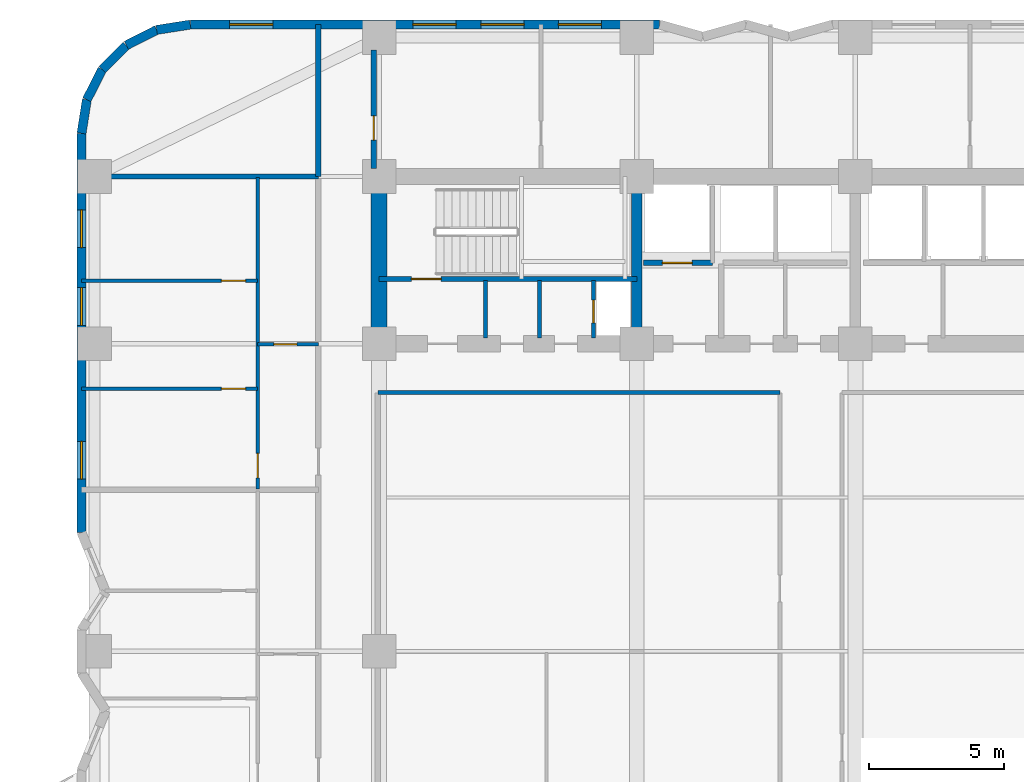
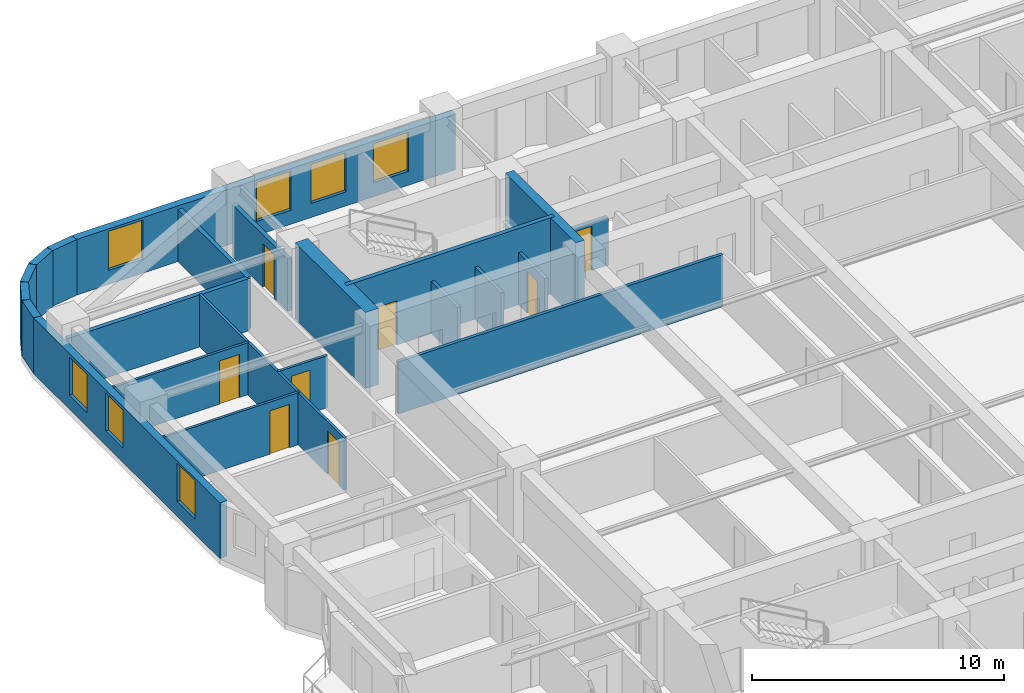
# One storey, part 6 of 11: 22 walls, 8 doors, 7 windows, 15 openings.
"""IFC4 building model written with IfcOpenShell, lengths in metres."""

import ifcopenshell
import ifcopenshell.guid

model = None  # the IFC model being written
_history = None  # IfcOwnerHistory: only IFC2X3 demands one
_inside = {}  # id of a spatial element -> (the spatial element, [elements in it])
_under = {}  # id of a project, library or spatial element -> (it, [spatial elements below it])
_declared = {}  # id of a project -> (the project, [libraries it declares])
_typed = {}  # id of a type object -> (the type object, [elements of that type])
_made_of = {}  # id of a material, layer set ... -> (it, [elements and type objects made of it])


def new_model(schema):
    """Start an empty IFC model of exactly this schema.

    Asked for "IFC4X3", IfcOpenShell would pick the latest addendum, in which some entities
    have other attributes; the version numbers below select the first issue.
    IFC2X3 requires an IfcOwnerHistory on every rooted entity: one is made here for all.
    """
    global model, _history
    if schema == "IFC4X3":
        model = ifcopenshell.file(schema_version=(4, 3, 0, 0))
    else:
        model = ifcopenshell.file(schema=schema)
    _inside.clear()
    _under.clear()
    _declared.clear()
    _typed.clear()
    _made_of.clear()
    _history = None
    if model.schema == "IFC2X3":
        org = make("IfcOrganization", Name="unknown")
        user = make(
            "IfcPersonAndOrganization",
            ThePerson=make("IfcPerson", FamilyName="unknown"),
            TheOrganization=org,
        )
        app = make(
            "IfcApplication",
            ApplicationDeveloper=org,
            Version="unknown",
            ApplicationFullName="unknown",
            ApplicationIdentifier="unknown",
        )
        _history = make(
            "IfcOwnerHistory",
            OwningUser=user,
            OwningApplication=app,
            ChangeAction="ADDED",
            CreationDate=0,
        )
    return model


def make(cls, **values):
    """One entity of the class cls with the attributes given. An attribute that is None is left unset."""
    return model.create_entity(
        cls, **{name: value for name, value in values.items() if value is not None}
    )


def rooted(cls, **values):
    """An entity with a GlobalId (a new one), such as an element, a storey or a relation."""
    return make(cls, GlobalId=ifcopenshell.guid.new(), OwnerHistory=_history, **values)


def si_unit(unit_type, name, prefix=None):
    """IfcSIUnit, for example si_unit("LENGTHUNIT", "METRE", prefix="MILLI")."""
    return make("IfcSIUnit", UnitType=unit_type, Prefix=prefix, Name=name)


def assignment(units):
    """IfcUnitAssignment: the units of a project."""
    return None if units is None else make("IfcUnitAssignment", Units=units)


def point(xyz):
    """IfcCartesianPoint."""
    return None if xyz is None else make("IfcCartesianPoint", Coordinates=xyz)


def direction(xyz):
    """IfcDirection."""
    return None if xyz is None else make("IfcDirection", DirectionRatios=xyz)


def frame(location, z_axis=None, x_axis=None):
    """IfcAxis2Placement3D, a coordinate frame: its origin and axes. An axis left out is left unset."""
    return make(
        "IfcAxis2Placement3D",
        Location=point(location),
        Axis=direction(z_axis),
        RefDirection=direction(x_axis),
    )


def frame_2d(location, x_axis=None):
    """IfcAxis2Placement2D, a coordinate frame in the plane: its origin and x axis."""
    return make(
        "IfcAxis2Placement2D", Location=point(location), RefDirection=direction(x_axis)
    )


def origin():
    """The frame at (0, 0, 0) with its axes left unset."""
    return frame((0.0, 0.0, 0.0))


def place(relative_to, where):
    """IfcLocalPlacement: puts the frame where relative to a parent placement (None: the world)."""
    return make(
        "IfcLocalPlacement", PlacementRelTo=relative_to, RelativePlacement=where
    )


def context(
    kind, dimensions, precision=None, world=None, true_north=None, identifier=None
):
    """IfcGeometricRepresentationContext, for example the 3D "Model" context."""
    return make(
        "IfcGeometricRepresentationContext",
        ContextIdentifier=identifier,
        ContextType=kind,
        CoordinateSpaceDimension=dimensions,
        Precision=precision,
        WorldCoordinateSystem=world,
        TrueNorth=true_north,
    )


def subcontext(parent, identifier, kind, view, scale=None):
    """IfcGeometricRepresentationSubContext, for example "Body" below "Model"."""
    return make(
        "IfcGeometricRepresentationSubContext",
        ContextIdentifier=identifier,
        ContextType=kind,
        ParentContext=parent,
        TargetScale=scale,
        TargetView=view,
    )


def project(units=None, contexts=None):
    """IfcProject with its units and contexts."""
    return rooted(
        "IfcProject",
        Name="project",
        RepresentationContexts=contexts,
        UnitsInContext=assignment(units),
    )


def spatial(cls, under=None, at=None, **own):
    """A site, building, storey or space (cls), placed at a placement, below another one or the project."""
    s = rooted(cls, ObjectPlacement=at, **own)
    if under is not None:
        _under.setdefault(under.id(), (under, []))[1].append(s)
    return s


def profile(cls, at=None, kind="AREA", **sizes):
    """A parametric profile (cls). Its sizes go by their IFC names, for example OverallWidth=200.0."""
    return make(cls, ProfileType=kind, Position=at, **sizes)


def rectangle(**sizes):
    """IfcRectangleProfileDef."""
    return profile("IfcRectangleProfileDef", **sizes)


def extrude(swept, where, along, depth):
    """IfcExtrudedAreaSolid: the profile swept, set in the frame where, extruded along a direction by depth."""
    return make(
        "IfcExtrudedAreaSolid",
        SweptArea=swept,
        Position=where,
        ExtrudedDirection=direction(along),
        Depth=depth,
    )


def shape(context_of_items, identifier, shape_type, items):
    """IfcShapeRepresentation: the items that make up one representation, for example the "Body"."""
    return make(
        "IfcShapeRepresentation",
        ContextOfItems=context_of_items,
        RepresentationIdentifier=identifier,
        RepresentationType=shape_type,
        Items=items,
    )


def material(Name=None, Category=None):
    """IfcMaterial."""
    return make("IfcMaterial", Name=Name, Category=Category)


def layer(
    of_material, thickness, ventilated=None, Name=None, Category=None, Priority=None
):
    """IfcMaterialLayer: one layer of a wall or slab, of a material (None: an air gap)."""
    return make(
        "IfcMaterialLayer",
        Material=of_material,
        LayerThickness=thickness,
        IsVentilated=ventilated,
        Name=Name,
        Category=Category,
        Priority=Priority,
    )


def layer_set(layers, Name=None):
    """IfcMaterialLayerSet."""
    return make("IfcMaterialLayerSet", MaterialLayers=layers, LayerSetName=Name)


def made_of(thing, what):
    """Note that an element or type object is made of a material, layer set ...; save() writes the relation."""
    if what is not None:
        _made_of.setdefault(what.id(), (what, []))[1].append(thing)
    return thing


def type_object(cls, material=None, **own):
    """A type object (cls), such as IfcWallType, which elements share."""
    return made_of(rooted(cls, **own), material)


def element(
    cls,
    number,
    at=None,
    inside=None,
    cuts=None,
    type_object=None,
    material=None,
    context=None,
    identifier="Body",
    shape_type=None,
    held_by="IfcProductDefinitionShape",
    body=None,
    shapes=None,
    **own,
):
    """One element of the class cls, such as IfcWall. Its Tag is "e" and its number.

    at: its placement. inside: the storey or other place that contains it. cuts: it is an
    opening in that element (IfcRelVoidsElement). A single representation is given by context,
    identifier, shape_type and body (its items); several are given by shapes. held_by: the class
    of the entity that holds the representations. save() writes the other relations.
    """
    e = rooted(cls, Tag="e%d" % number, ObjectPlacement=at, **own)
    if body is not None:
        shapes = [shape(context, identifier, shape_type, body)]
    if shapes is not None:
        e.Representation = make(held_by, Representations=shapes)
    if inside is not None:
        _inside.setdefault(inside.id(), (inside, []))[1].append(e)
    if cuts is not None:
        rooted(
            "IfcRelVoidsElement", RelatingBuildingElement=cuts, RelatedOpeningElement=e
        )
    if type_object is not None:
        _typed.setdefault(type_object.id(), (type_object, []))[1].append(e)
    return made_of(e, material)


def fill(opening, filler):
    """IfcRelFillsElement: the door or window that sits in an opening."""
    return rooted(
        "IfcRelFillsElement",
        RelatingOpeningElement=opening,
        RelatedBuildingElement=filler,
    )


def aggregate(whole, parts):
    """IfcRelAggregates: a whole, such as a stair, and the parts it consists of."""
    return rooted("IfcRelAggregates", RelatingObject=whole, RelatedObjects=parts)


def save(model, path):
    """Write the relations noted so far, then the file.

    IfcRelAggregates (storeys below a building ...), IfcRelContainedInSpatialStructure (elements
    in a storey), IfcRelDefinesByType, IfcRelAssociatesMaterial and IfcRelDeclares: one each for
    every whole, place, type object, material and project.
    """
    for whole, parts in _under.values():
        aggregate(whole, parts)
    for where, things in _inside.values():
        rooted(
            "IfcRelContainedInSpatialStructure",
            RelatedElements=things,
            RelatingStructure=where,
        )
    for kind, things in _typed.values():
        rooted("IfcRelDefinesByType", RelatedObjects=things, RelatingType=kind)
    for what, things in _made_of.values():
        rooted("IfcRelAssociatesMaterial", RelatedObjects=things, RelatingMaterial=what)
    for by, libraries in _declared.values():
        rooted("IfcRelDeclares", RelatingContext=by, RelatedDefinitions=libraries)
    model.write(path)


model = new_model("IFC4")

# Units and contexts
model_context = context("Model", 3, precision=1e-05, world=origin(), true_north=direction((0.0, 1.0)))
body_context = subcontext(model_context, "Body", "Model", "MODEL_VIEW")
ifc_project = project(units=[si_unit("LENGTHUNIT", "METRE"), si_unit("AREAUNIT", "SQUARE_METRE"), si_unit("VOLUMEUNIT", "CUBIC_METRE"), si_unit("PLANEANGLEUNIT", "RADIAN"), si_unit("MASSUNIT", "GRAM", prefix="KILO")], contexts=[model_context])

# Site, building, storey
site_placement = place(None, origin())
site = spatial("IfcSite", under=ifc_project, at=site_placement, CompositionType="ELEMENT")
building_placement = place(site_placement, origin())
building = spatial("IfcBuilding", under=site, at=building_placement, Name="Svetorya Sky Lyceum", CompositionType="ELEMENT")
storey_placement = place(building_placement, frame((0.0, 0.0, 36.199951171875)))
storey = spatial("IfcBuildingStorey", under=building, at=storey_placement, Name="L08", CompositionType="ELEMENT", Elevation=36.199951171875)

# Walls
ifc_material_1 = material(Name="Concrete C40/50", Category="concrete")
ifc_layer_1 = layer(ifc_material_1, 0.39990234375)
ifc_layer_set_1 = layer_set([ifc_layer_1], Name="Concrete C40/50")
wall_type_1 = type_object("IfcWallType", Name="WL-CORE-400", PredefinedType="SHEAR", material=ifc_layer_set_1)
wall_1_placement = place(storey_placement, frame((35.14990234375, 39.89990234375, 0.0), z_axis=(0.0, 0.0, 1.0), x_axis=(0.0, 1.0, 0.0)))
element("IfcWall", 1, at=wall_1_placement, inside=storey, type_object=wall_type_1, Name="L08 NC Internal Shear Web WEB1", PredefinedType="SHEAR", context=body_context, shape_type="SweptSolid", body=[
    extrude(rectangle(XDim=5.60009765625, YDim=0.39990234375, at=frame_2d((2.800048828125, 0.0))), origin(), (0.0, 0.0, 1.0), 3.699951171875),
])
ifc_material_2 = material(Name="Concrete C60/75", Category="concrete")
ifc_layer_2 = layer(ifc_material_2, 0.60009765625)
ifc_layer_set_2 = layer_set([ifc_layer_2], Name="Concrete C60/75")
wall_type_2 = type_object("IfcWallType", Name="WL-CORE-600", PredefinedType="SHEAR", material=ifc_layer_set_2)
wall_2_placement = place(storey_placement, frame((25.60009765625, 39.89990234375, 0.0), z_axis=(0.0, 0.0, 1.0), x_axis=(0.0, 1.0, 0.0)))
element("IfcWall", 2, at=wall_2_placement, inside=storey, type_object=wall_type_2, Name="L08 NC West Core Shear Wall", PredefinedType="SHEAR", context=body_context, shape_type="SweptSolid", body=[
    extrude(rectangle(XDim=5.60009765625, YDim=0.60009765625, at=frame_2d((2.800048828125, 0.0))), origin(), (0.0, 0.0, 1.0), 3.699951171875),
])

# Wall, openings, windows
ifc_material_3 = material(Name="Putilovo limestone rainscreen on autoclaved cellular masonry", Category="masonry")
ifc_layer_3 = layer(ifc_material_3, 0.340087890625)
ifc_layer_set_3 = layer_set([ifc_layer_3], Name="Putilovo limestone rainscreen on autoclaved cellular masonry")
wall_type_3 = type_object("IfcWallType", Name="WL-EXT-340", PredefinedType="SOLIDWALL", material=ifc_layer_set_3)
wall_3_placement = place(storey_placement, frame((36.0, 51.429931640625, 0.0), z_axis=(0.0, 0.0, 1.0), x_axis=(-1.0, 0.0, 0.0)))
wall_3 = element("IfcWall", 3, at=wall_3_placement, inside=storey, type_object=wall_type_3, Name="L08 Limestone Exterior Wall 34M", PredefinedType="SOLIDWALL", context=body_context, shape_type="SweptSolid", body=[
    extrude(rectangle(XDim=17.39990234375, YDim=0.340087890625, at=frame_2d((8.699951171875, 0.0))), origin(), (0.0, 0.0, 1.0), 2.699951171875),
])
opening_1_placement = place(wall_3_placement, frame((2.159912109375, 0.0, 0.679931640625)))
opening_1 = element("IfcOpeningElement", 4, at=opening_1_placement, cuts=wall_3, Name="Opening W-R4", PredefinedType="OPENING", context=body_context, shape_type="SweptSolid", body=[
    extrude(rectangle(XDim=1.60009765625, YDim=1.89990234375, at=frame_2d((0.800048828125, 0.949951171875))), frame((0.0, 0.179931640625, 0.0), z_axis=(0.0, -1.0, 0.0), x_axis=(1.0, 0.0, 0.0)), (0.0, 0.0, 1.0), 0.360107421875),
])
opening_2_placement = place(wall_3_placement, frame((5.030029296875, 0.0, 0.679931640625)))
opening_2 = element("IfcOpeningElement", 5, at=opening_2_placement, cuts=wall_3, Name="Opening W-R4", PredefinedType="OPENING", context=body_context, shape_type="SweptSolid", body=[
    extrude(rectangle(XDim=1.60009765625, YDim=1.89990234375, at=frame_2d((0.800048828125, 0.949951171875))), frame((0.0, 0.179931640625, 0.0), z_axis=(0.0, -1.0, 0.0), x_axis=(1.0, 0.0, 0.0)), (0.0, 0.0, 1.0), 0.360107421875),
])
opening_3_placement = place(wall_3_placement, frame((7.550048828125, 0.0, 0.679931640625)))
opening_3 = element("IfcOpeningElement", 6, at=opening_3_placement, cuts=wall_3, Name="Opening W-R4", PredefinedType="OPENING", context=body_context, shape_type="SweptSolid", body=[
    extrude(rectangle(XDim=1.60009765625, YDim=1.89990234375, at=frame_2d((0.800048828125, 0.949951171875))), frame((0.0, 0.179931640625, 0.0), z_axis=(0.0, -1.0, 0.0), x_axis=(1.0, 0.0, 0.0)), (0.0, 0.0, 1.0), 0.360107421875),
])
opening_4_placement = place(wall_3_placement, frame((14.340087890625, 0.0, 0.679931640625)))
opening_4 = element("IfcOpeningElement", 7, at=opening_4_placement, cuts=wall_3, Name="Opening W-R4", PredefinedType="OPENING", context=body_context, shape_type="SweptSolid", body=[
    extrude(rectangle(XDim=1.60009765625, YDim=1.89990234375, at=frame_2d((0.800048828125, 0.949951171875))), frame((0.0, 0.179931640625, 0.0), z_axis=(0.0, -1.0, 0.0), x_axis=(1.0, 0.0, 0.0)), (0.0, 0.0, 1.0), 0.360107421875),
])
ifc_material_4 = material(Name="Thermally broken aluminium frame with triple low-E glazing", Category="aluminium")
window_type_1 = type_object("IfcWindowType", Name="WN-RES-160", PartitioningType="DOUBLE_PANEL_VERTICAL", PredefinedType="WINDOW", material=ifc_material_4)
window_1_placement = place(opening_1_placement, origin())
window_1 = element("IfcWindow", 8, at=window_1_placement, inside=storey, type_object=window_type_1, Name="L08 Facade Window W-R4.34M.1", OverallHeight=1.89990234375, OverallWidth=1.60009765625, PartitioningType="SINGLE_PANEL", PredefinedType="WINDOW", context=body_context, shape_type="SweptSolid", body=[
    extrude(rectangle(XDim=1.60009765625, YDim=1.89990234375, at=frame_2d((0.800048828125, 0.949951171875))), frame((0.0, 0.030029296875, 0.0), z_axis=(0.0, -1.0, 0.0), x_axis=(1.0, 0.0, 0.0)), (0.0, 0.0, 1.0), 0.06005859375),
])
fill(opening_1, window_1)
window_2_placement = place(opening_2_placement, origin())
window_2 = element("IfcWindow", 9, at=window_2_placement, inside=storey, type_object=window_type_1, Name="L08 Facade Window W-R4.34M.2", OverallHeight=1.89990234375, OverallWidth=1.60009765625, PartitioningType="SINGLE_PANEL", PredefinedType="WINDOW", context=body_context, shape_type="SweptSolid", body=[
    extrude(rectangle(XDim=1.60009765625, YDim=1.89990234375, at=frame_2d((0.800048828125, 0.949951171875))), frame((0.0, 0.030029296875, 0.0), z_axis=(0.0, -1.0, 0.0), x_axis=(1.0, 0.0, 0.0)), (0.0, 0.0, 1.0), 0.06005859375),
])
fill(opening_2, window_2)
window_3_placement = place(opening_3_placement, origin())
window_3 = element("IfcWindow", 10, at=window_3_placement, inside=storey, type_object=window_type_1, Name="L08 Facade Window W-R4.34M.3", OverallHeight=1.89990234375, OverallWidth=1.60009765625, PartitioningType="SINGLE_PANEL", PredefinedType="WINDOW", context=body_context, shape_type="SweptSolid", body=[
    extrude(rectangle(XDim=1.60009765625, YDim=1.89990234375, at=frame_2d((0.800048828125, 0.949951171875))), frame((0.0, 0.030029296875, 0.0), z_axis=(0.0, -1.0, 0.0), x_axis=(1.0, 0.0, 0.0)), (0.0, 0.0, 1.0), 0.06005859375),
])
fill(opening_3, window_3)
window_4_placement = place(opening_4_placement, origin())
window_4 = element("IfcWindow", 11, at=window_4_placement, inside=storey, type_object=window_type_1, Name="L08 Facade Window W-R4.34M.4", OverallHeight=1.89990234375, OverallWidth=1.60009765625, PartitioningType="SINGLE_PANEL", PredefinedType="WINDOW", context=body_context, shape_type="SweptSolid", body=[
    extrude(rectangle(XDim=1.60009765625, YDim=1.89990234375, at=frame_2d((0.800048828125, 0.949951171875))), frame((0.0, 0.030029296875, 0.0), z_axis=(0.0, -1.0, 0.0), x_axis=(1.0, 0.0, 0.0)), (0.0, 0.0, 1.0), 0.06005859375),
])
fill(opening_4, window_4)

# Walls
wall_4_placement = place(storey_placement, frame((18.60009765625, 51.429931640625, 0.0), z_axis=(0.0, 0.0, 1.0), x_axis=(-0.98771582066, -0.156260864002, 0.0)))
element("IfcWall", 12, at=wall_4_placement, inside=storey, type_object=wall_type_3, Name="L08 Limestone Exterior Wall 35M", PredefinedType="SOLIDWALL", context=body_context, shape_type="SweptSolid", body=[
    extrude(rectangle(XDim=1.2607421875, YDim=0.340087890625, at=frame_2d((0.63037109375, 0.0))), origin(), (0.0, 0.0, 1.0), 2.699951171875),
])
for number, where, z_axis, x_axis, name in (
    (13, (17.354736328125, 51.23291015625, 0.0), (0.0, 0.0, 1.0), (-0.890993689142, -0.454015689056, 0.0), "L08 Limestone Exterior Wall 36M"),
    (14, (16.231201171875, 50.660400390625, 0.0), (0.0, 0.0, 1.0), (-0.707106781187, -0.707106781187, 0.0), "L08 Limestone Exterior Wall 37M"),
    (15, (15.339599609375, 49.768798828125, 0.0), (0.0, 0.0, 1.0), (-0.454015689056, -0.890993689142, 0.0), "L08 Limestone Exterior Wall 38M"),
):
    element("IfcWall", number, at=place(storey_placement, frame(where, z_axis=z_axis, x_axis=x_axis)), inside=storey, type_object=wall_type_3, Name=name, PredefinedType="SOLIDWALL", context=body_context, shape_type="SweptSolid", body=[
        extrude(rectangle(XDim=1.260986328125, YDim=0.340087890625, at=frame_2d((0.63037109375, 0.0))), origin(), (0.0, 0.0, 1.0), 2.699951171875),
    ])
wall_5_placement = place(storey_placement, frame((14.76708984375, 48.645263671875, 0.0), z_axis=(0.0, 0.0, 1.0), x_axis=(-0.156260864002, -0.98771582066, 0.0)))
element("IfcWall", 16, at=wall_5_placement, inside=storey, type_object=wall_type_3, Name="L08 Limestone Exterior Wall 39M", PredefinedType="SOLIDWALL", context=body_context, shape_type="SweptSolid", body=[
    extrude(rectangle(XDim=1.2607421875, YDim=0.340087890625, at=frame_2d((0.63037109375, 0.0))), origin(), (0.0, 0.0, 1.0), 2.699951171875),
])

# Wall, openings, windows
wall_6_placement = place(storey_placement, frame((14.570068359375, 47.39990234375, 0.0), z_axis=(0.0, 0.0, 1.0), x_axis=(0.0, -1.0, 0.0)))
wall_6 = element("IfcWall", 17, at=wall_6_placement, inside=storey, type_object=wall_type_3, Name="L08 Limestone Exterior Wall 40M", PredefinedType="SOLIDWALL", context=body_context, shape_type="SweptSolid", body=[
    extrude(rectangle(XDim=14.7998046875, YDim=0.340087890625, at=frame_2d((7.39990234375, 0.0))), origin(), (0.0, 0.0, 1.0), 2.699951171875),
])
opening_5_placement = place(wall_6_placement, frame((2.840087890625, 0.0, 0.68994140625)))
opening_5 = element("IfcOpeningElement", 18, at=opening_5_placement, cuts=wall_6, Name="Opening W-R2", PredefinedType="OPENING", context=body_context, shape_type="SweptSolid", body=[
    extrude(rectangle(XDim=1.39990234375, YDim=1.85009765625, at=frame_2d((0.699951171875, 0.925048828125))), frame((0.0, 0.179931640625, 0.0), z_axis=(0.0, -1.0, 0.0), x_axis=(1.0, 0.0, 0.0)), (0.0, 0.0, 1.0), 0.360107421875),
])
opening_6_placement = place(wall_6_placement, frame((5.719970703125, 0.0, 0.68994140625)))
opening_6 = element("IfcOpeningElement", 19, at=opening_6_placement, cuts=wall_6, Name="Opening W-R2", PredefinedType="OPENING", context=body_context, shape_type="SweptSolid", body=[
    extrude(rectangle(XDim=1.39990234375, YDim=1.85009765625, at=frame_2d((0.699951171875, 0.925048828125))), frame((0.0, 0.179931640625, 0.0), z_axis=(0.0, -1.0, 0.0), x_axis=(1.0, 0.0, 0.0)), (0.0, 0.0, 1.0), 0.360107421875),
])
opening_7_placement = place(wall_6_placement, frame((11.41259765625, 0.0, 0.72998046875)))
opening_7 = element("IfcOpeningElement", 20, at=opening_7_placement, cuts=wall_6, Name="Opening W-R2", PredefinedType="OPENING", context=body_context, shape_type="SweptSolid", body=[
    extrude(rectangle(XDim=1.39990234375, YDim=1.85009765625, at=frame_2d((0.699951171875, 0.925048828125))), frame((0.0, 0.179931640625, 0.0), z_axis=(0.0, -1.0, 0.0), x_axis=(1.0, 0.0, 0.0)), (0.0, 0.0, 1.0), 0.360107421875),
])
window_type_2 = type_object("IfcWindowType", Name="WN-RES-140", PartitioningType="SINGLE_PANEL", PredefinedType="WINDOW", material=ifc_material_4)
window_5_placement = place(opening_5_placement, origin())
window_5 = element("IfcWindow", 21, at=window_5_placement, inside=storey, type_object=window_type_2, Name="L08 Facade Window W-R2.40M.3", OverallHeight=1.85009765625, OverallWidth=1.39990234375, PartitioningType="SINGLE_PANEL", PredefinedType="WINDOW", context=body_context, shape_type="SweptSolid", body=[
    extrude(rectangle(XDim=1.39990234375, YDim=1.85009765625, at=frame_2d((0.699951171875, 0.925048828125))), frame((0.0, 0.030029296875, 0.0), z_axis=(0.0, -1.0, 0.0), x_axis=(1.0, 0.0, 0.0)), (0.0, 0.0, 1.0), 0.06005859375),
])
fill(opening_5, window_5)
window_6_placement = place(opening_6_placement, origin())
window_6 = element("IfcWindow", 22, at=window_6_placement, inside=storey, type_object=window_type_2, Name="L08 Facade Window W-R2.40M.2", OverallHeight=1.85009765625, OverallWidth=1.39990234375, PartitioningType="SINGLE_PANEL", PredefinedType="WINDOW", context=body_context, shape_type="SweptSolid", body=[
    extrude(rectangle(XDim=1.39990234375, YDim=1.85009765625, at=frame_2d((0.699951171875, 0.925048828125))), frame((0.0, 0.030029296875, 0.0), z_axis=(0.0, -1.0, 0.0), x_axis=(1.0, 0.0, 0.0)), (0.0, 0.0, 1.0), 0.06005859375),
])
fill(opening_6, window_6)
window_7_placement = place(opening_7_placement, origin())
window_7 = element("IfcWindow", 23, at=window_7_placement, inside=storey, type_object=window_type_2, Name="L08 Facade Window W-R2.40M.1", OverallHeight=1.85009765625, OverallWidth=1.39990234375, PartitioningType="SINGLE_PANEL", PredefinedType="WINDOW", context=body_context, shape_type="SweptSolid", body=[
    extrude(rectangle(XDim=1.39990234375, YDim=1.85009765625, at=frame_2d((0.699951171875, 0.925048828125))), frame((0.0, 0.030029296875, 0.0), z_axis=(0.0, -1.0, 0.0), x_axis=(1.0, 0.0, 0.0)), (0.0, 0.0, 1.0), 0.06005859375),
])
fill(opening_7, window_7)

# Wall, opening, door
ifc_material_5 = material(Name="Twin-stud galvanized framing with double fireboard", Category="gypsum")
ifc_layer_4 = layer(ifc_material_5, 0.1201171875)
ifc_layer_set_4 = layer_set([ifc_layer_4], Name="Twin-stud galvanized framing with double fireboard")
wall_type_4 = type_object("IfcWallType", Name="WL-PART-120", PredefinedType="PARTITIONING", material=ifc_layer_set_4)
wall_7_placement = place(storey_placement, frame((21.10009765625, 39.583984375, 0.0), z_axis=(0.0, 0.0, 1.0), x_axis=(1.0, 0.0, 0.0)))
wall_7 = element("IfcWall", 24, at=wall_7_placement, inside=storey, type_object=wall_type_4, Name="L08 Interior Partition W3-WH1", PredefinedType="PARTITIONING", context=body_context, shape_type="SweptSolid", body=[
    extrude(rectangle(XDim=2.25, YDim=0.1201171875, at=frame_2d((1.125, 0.0))), origin(), (0.0, 0.0, 1.0), 2.530029296875),
])
opening_8_placement = place(wall_7_placement, frame((0.60009765625, 0.0, 0.0)))
opening_8 = element("IfcOpeningElement", 25, at=opening_8_placement, cuts=wall_7, Name="Opening D-BT1", PredefinedType="OPENING", context=body_context, shape_type="SweptSolid", body=[
    extrude(rectangle(XDim=0.85009765625, YDim=2.10009765625, at=frame_2d((0.425048828125, 1.050048828125))), frame((0.0, 0.070068359375, 0.0), z_axis=(0.0, -1.0, 0.0), x_axis=(1.0, 0.0, 0.0)), (0.0, 0.0, 1.0), 0.14013671875),
])
ifc_material_6 = material(Name="Moisture-resistant laminate bathroom door")
door_type_1 = type_object("IfcDoorType", Name="DR-WET-850", OperationType="SINGLE_SWING_LEFT", PredefinedType="DOOR", material=ifc_material_6)
door_1_placement = place(opening_8_placement, origin())
door_1 = element("IfcDoor", 26, at=door_1_placement, inside=storey, type_object=door_type_1, Name="Apartment W3 Bathroom Door", OperationType="SINGLE_SWING_LEFT", OverallHeight=2.10009765625, OverallWidth=0.85009765625, PredefinedType="DOOR", context=body_context, shape_type="SweptSolid", body=[
    extrude(rectangle(XDim=0.85009765625, YDim=2.10009765625, at=frame_2d((0.425048828125, 1.050048828125))), frame((0.0, 0.02490234375, 0.0), z_axis=(0.0, -1.0, 0.0), x_axis=(1.0, 0.0, 0.0)), (0.0, 0.0, 1.0), 0.050048828125),
])
fill(opening_8, door_1)

wall_8_placement = place(storey_placement, frame((14.570068359375, 37.93408203125, 0.0), z_axis=(0.0, 0.0, 1.0), x_axis=(1.0, 0.0, 0.0)))
wall_8 = element("IfcWall", 27, at=wall_8_placement, inside=storey, type_object=wall_type_4, Name="L08 Interior Partition W3-WL1", PredefinedType="PARTITIONING", context=body_context, shape_type="SweptSolid", body=[
    extrude(rectangle(XDim=6.530029296875, YDim=0.1201171875, at=frame_2d((3.26513671875, 0.0))), origin(), (0.0, 0.0, 1.0), 2.530029296875),
])
opening_9_placement = place(wall_8_placement, frame((5.179931640625, 0.0, 0.0)))
opening_9 = element("IfcOpeningElement", 28, at=opening_9_placement, cuts=wall_8, Name="Opening D-RM1", PredefinedType="OPENING", context=body_context, shape_type="SweptSolid", body=[
    extrude(rectangle(XDim=0.89990234375, YDim=2.10009765625, at=frame_2d((0.449951171875, 1.050048828125))), frame((0.0, 0.070068359375, 0.0), z_axis=(0.0, -1.0, 0.0), x_axis=(1.0, 0.0, 0.0)), (0.0, 0.0, 1.0), 0.14013671875),
])
ifc_material_7 = material(Name="Lacquered birch veneer internal door")
door_type_2 = type_object("IfcDoorType", Name="DR-INT-900", OperationType="SINGLE_SWING_LEFT", PredefinedType="DOOR", material=ifc_material_7)
door_2_placement = place(opening_9_placement, origin())
door_2 = element("IfcDoor", 29, at=door_2_placement, inside=storey, type_object=door_type_2, Name="Apartment W3 Master Bedroom Door", OperationType="SINGLE_SWING_LEFT", OverallHeight=2.10009765625, OverallWidth=0.89990234375, PredefinedType="DOOR", context=body_context, shape_type="SweptSolid", body=[
    extrude(rectangle(XDim=0.89990234375, YDim=2.10009765625, at=frame_2d((0.449951171875, 1.050048828125))), frame((0.0, 0.02490234375, 0.0), z_axis=(0.0, -1.0, 0.0), x_axis=(1.0, 0.0, 0.0)), (0.0, 0.0, 1.0), 0.050048828125),
])
fill(opening_9, door_2)

wall_9_placement = place(storey_placement, frame((14.570068359375, 41.93408203125, 0.0), z_axis=(0.0, 0.0, 1.0), x_axis=(1.0, 0.0, 0.0)))
wall_9 = element("IfcWall", 30, at=wall_9_placement, inside=storey, type_object=wall_type_4, Name="L08 Interior Partition W3-WL2", PredefinedType="PARTITIONING", context=body_context, shape_type="SweptSolid", body=[
    extrude(rectangle(XDim=6.530029296875, YDim=0.1201171875, at=frame_2d((3.26513671875, 0.0))), origin(), (0.0, 0.0, 1.0), 2.530029296875),
])
opening_10_placement = place(wall_9_placement, frame((5.179931640625, 0.0, 0.0)))
opening_10 = element("IfcOpeningElement", 31, at=opening_10_placement, cuts=wall_9, Name="Opening D-RM1", PredefinedType="OPENING", context=body_context, shape_type="SweptSolid", body=[
    extrude(rectangle(XDim=0.89990234375, YDim=2.10009765625, at=frame_2d((0.449951171875, 1.050048828125))), frame((0.0, 0.070068359375, 0.0), z_axis=(0.0, -1.0, 0.0), x_axis=(1.0, 0.0, 0.0)), (0.0, 0.0, 1.0), 0.14013671875),
])
door_3_placement = place(opening_10_placement, origin())
door_3 = element("IfcDoor", 32, at=door_3_placement, inside=storey, type_object=door_type_2, Name="Apartment W3 Bedroom 2 Door", OperationType="SINGLE_SWING_RIGHT", OverallHeight=2.10009765625, OverallWidth=0.89990234375, PredefinedType="DOOR", context=body_context, shape_type="SweptSolid", body=[
    extrude(rectangle(XDim=0.89990234375, YDim=2.10009765625, at=frame_2d((0.449951171875, 1.050048828125))), frame((0.0, 0.02490234375, 0.0), z_axis=(0.0, -1.0, 0.0), x_axis=(1.0, 0.0, 0.0)), (0.0, 0.0, 1.0), 0.050048828125),
])
fill(opening_10, door_3)

wall_10_placement = place(storey_placement, frame((21.10009765625, 34.22412109375, 0.0), z_axis=(0.0, 0.0, 1.0), x_axis=(0.0, 1.0, 0.0)))
wall_10 = element("IfcWall", 33, at=wall_10_placement, inside=storey, type_object=wall_type_4, Name="L08 Interior Partition W3-WV", PredefinedType="PARTITIONING", context=body_context, shape_type="SweptSolid", body=[
    extrude(rectangle(XDim=11.535888671875, YDim=0.1201171875, at=frame_2d((5.76806640625, 0.0))), origin(), (0.0, 0.0, 1.0), 2.530029296875),
])
opening_11_placement = place(wall_10_placement, frame((0.409912109375, 0.0, 0.0)))
opening_11 = element("IfcOpeningElement", 34, at=opening_11_placement, cuts=wall_10, Name="Opening D-RM1", PredefinedType="OPENING", context=body_context, shape_type="SweptSolid", body=[
    extrude(rectangle(XDim=0.89990234375, YDim=2.10009765625, at=frame_2d((0.449951171875, 1.050048828125))), frame((0.0, 0.070068359375, 0.0), z_axis=(0.0, -1.0, 0.0), x_axis=(1.0, 0.0, 0.0)), (0.0, 0.0, 1.0), 0.14013671875),
])
door_4_placement = place(opening_11_placement, origin())
door_4 = element("IfcDoor", 35, at=door_4_placement, inside=storey, type_object=door_type_2, Name="Apartment W3 Living Door", OperationType="SINGLE_SWING_RIGHT", OverallHeight=2.10009765625, OverallWidth=0.89990234375, PredefinedType="DOOR", context=body_context, shape_type="SweptSolid", body=[
    extrude(rectangle(XDim=0.89990234375, YDim=2.10009765625, at=frame_2d((0.449951171875, 1.050048828125))), frame((0.0, 0.02490234375, 0.0), z_axis=(0.0, -1.0, 0.0), x_axis=(1.0, 0.0, 0.0)), (0.0, 0.0, 1.0), 0.050048828125),
])
fill(opening_11, door_4)

ifc_material_8 = material(Name="Autoclaved cellular masonry blockwork with acoustic render", Category="masonry")
ifc_layer_5 = layer(ifc_material_8, 0.14990234375)
ifc_layer_set_5 = layer_set([ifc_layer_5], Name="Autoclaved cellular masonry blockwork with acoustic render")
wall_type_5 = type_object("IfcWallType", Name="WL-PART-150", PredefinedType="PARTITIONING", material=ifc_layer_set_5)
wall_11_placement = place(storey_placement, frame((33.550048828125, 39.820068359375, 0.0), z_axis=(0.0, 0.0, 1.0), x_axis=(0.0, 1.0, 0.0)))
wall_11 = element("IfcWall", 36, at=wall_11_placement, inside=storey, type_object=wall_type_5, Name="L08 Interior Partition NC-RSRW", PredefinedType="PARTITIONING", context=body_context, shape_type="SweptSolid", body=[
    extrude(rectangle(XDim=2.1298828125, YDim=0.14990234375, at=frame_2d((1.06494140625, 0.0))), origin(), (0.0, 0.0, 1.0), 2.530029296875),
])
opening_12_placement = place(wall_11_placement, frame((0.550048828125, 0.0, 0.0)))
opening_12 = element("IfcOpeningElement", 37, at=opening_12_placement, cuts=wall_11, Name="Opening D-SH1", PredefinedType="OPENING", context=body_context, shape_type="SweptSolid", body=[
    extrude(rectangle(XDim=0.85009765625, YDim=2.050048828125, at=frame_2d((0.425048828125, 1.02490234375))), frame((0.0, 0.0849609375, 0.0), z_axis=(0.0, -1.0, 0.0), x_axis=(1.0, 0.0, 0.0)), (0.0, 0.0, 1.0), 0.169921875),
])
ifc_material_9 = material(Name="Insulated galvanized riser inspection fire door")
door_type_3 = type_object("IfcDoorType", Name="DR-SHFT-850", OperationType="SINGLE_SWING_LEFT", PredefinedType="TRAPDOOR", material=ifc_material_9)
door_5_placement = place(opening_12_placement, origin())
door_5 = element("IfcDoor", 38, at=door_5_placement, inside=storey, type_object=door_type_3, Name="L08 North Riser Access Door", OperationType="SINGLE_SWING_LEFT", OverallHeight=2.050048828125, OverallWidth=0.85009765625, PredefinedType="TRAPDOOR", context=body_context, shape_type="SweptSolid", body=[
    extrude(rectangle(XDim=0.85009765625, YDim=2.050048828125, at=frame_2d((0.425048828125, 1.02490234375))), frame((0.0, 0.02490234375, 0.0), z_axis=(0.0, -1.0, 0.0), x_axis=(1.0, 0.0, 0.0)), (0.0, 0.0, 1.0), 0.050048828125),
])
fill(opening_12, door_5)

# Walls
for number, where, z_axis, x_axis, name in (
    (39, (29.550048828125, 39.820068359375, 0.0), (0.0, 0.0, 1.0), (0.0, 1.0, 0.0), "L08 Interior Partition NC-NWD1"),
    (40, (31.550048828125, 39.820068359375, 0.0), (0.0, 0.0, 1.0), (0.0, 1.0, 0.0), "L08 Interior Partition NC-NWD2"),
):
    element("IfcWall", number, at=place(storey_placement, frame(where, z_axis=z_axis, x_axis=x_axis)), inside=storey, type_object=wall_type_5, Name=name, PredefinedType="PARTITIONING", context=body_context, shape_type="SweptSolid", body=[
        extrude(rectangle(XDim=2.1298828125, YDim=0.14990234375, at=frame_2d((1.06494140625, 0.0))), origin(), (0.0, 0.0, 1.0), 2.530029296875),
    ])
wall_12_placement = place(storey_placement, frame((25.550048828125, 37.800048828125, 0.0), z_axis=(0.0, 0.0, 1.0), x_axis=(1.0, 0.0, 0.0)))
element("IfcWall", 41, at=wall_12_placement, inside=storey, type_object=wall_type_5, Name="L08 Interior Partition CN-MID-W", PredefinedType="PARTITIONING", context=body_context, shape_type="SweptSolid", body=[
    extrude(rectangle(XDim=14.89990234375, YDim=0.14990234375, at=frame_2d((7.449951171875, 0.0))), origin(), (0.0, 0.0, 1.0), 2.530029296875),
])

# Wall, opening, door
ifc_material_10 = material(Name="Autoclaved cellular masonry blockwork with gypsum plaster", Category="masonry")
ifc_layer_6 = layer(ifc_material_10, 0.199951171875)
ifc_layer_set_6 = layer_set([ifc_layer_6], Name="Autoclaved cellular masonry blockwork with gypsum plaster")
wall_type_6 = type_object("IfcWallType", Name="WL-PART-200", PredefinedType="PARTITIONING", material=ifc_layer_set_6)
wall_13_placement = place(storey_placement, frame((37.949951171875, 42.60009765625, 0.0), z_axis=(0.0, 0.0, 1.0), x_axis=(-1.0, 0.0, 0.0)))
wall_13 = element("IfcWall", 42, at=wall_13_placement, inside=storey, type_object=wall_type_6, Name="L08 Interior Partition NC-FL1W", PredefinedType="PARTITIONING", context=body_context, shape_type="SweptSolid", body=[
    extrude(rectangle(XDim=2.550048828125, YDim=0.199951171875, at=frame_2d((1.27490234375, 0.0))), origin(), (0.0, 0.0, 1.0), 2.300048828125),
])
opening_13_placement = place(wall_13_placement, frame((0.75, 0.0, 0.0)))
opening_13 = element("IfcOpeningElement", 43, at=opening_13_placement, cuts=wall_13, Name="Opening LD-FL", PredefinedType="OPENING", context=body_context, shape_type="SweptSolid", body=[
    extrude(rectangle(XDim=1.10009765625, YDim=2.14990234375, at=frame_2d((0.550048828125, 1.074951171875))), frame((0.0, 0.10986328125, 0.0), z_axis=(0.0, -1.0, 0.0), x_axis=(1.0, 0.0, 0.0)), (0.0, 0.0, 1.0), 0.219970703125),
])
ifc_material_11 = material(Name="Fire-rated stainless AISI 304 firefighting lift landing door")
door_type_4 = type_object("IfcDoorType", Name="DR-LIFT-1100", OperationType="SLIDING_TO_LEFT", PredefinedType="DOOR", material=ifc_material_11)
door_6_placement = place(opening_13_placement, origin())
door_6 = element("IfcDoor", 44, at=door_6_placement, inside=storey, type_object=door_type_4, Name="L08 Firefighting Lift FL1 Landing Door", OperationType="SLIDING_TO_LEFT", OverallHeight=2.14990234375, OverallWidth=1.10009765625, PredefinedType="DOOR", context=body_context, shape_type="SweptSolid", body=[
    extrude(rectangle(XDim=1.10009765625, YDim=2.14990234375, at=frame_2d((0.550048828125, 1.074951171875))), frame((0.0, 0.02490234375, 0.0), z_axis=(0.0, -1.0, 0.0), x_axis=(1.0, 0.0, 0.0)), (0.0, 0.0, 1.0), 0.050048828125),
])
fill(opening_13, door_6)

# Walls
wall_14_placement = place(storey_placement, frame((14.989990234375, 45.800048828125, 0.0), z_axis=(0.0, 0.0, 1.0), x_axis=(1.0, 0.0, 0.0)))
element("IfcWall", 45, at=wall_14_placement, inside=storey, type_object=wall_type_6, Name="L08 Interior Partition W-CAP-N", PredefinedType="PARTITIONING", context=body_context, shape_type="SweptSolid", body=[
    extrude(rectangle(XDim=8.360107421875, YDim=0.199951171875, at=frame_2d((4.18017578125, 0.0))), origin(), (0.0, 0.0, 1.0), 2.530029296875),
])
wall_15_placement = place(storey_placement, frame((23.35009765625, 45.800048828125, 0.0), z_axis=(0.0, 0.0, 1.0), x_axis=(0.0, 1.0, 0.0)))
element("IfcWall", 46, at=wall_15_placement, inside=storey, type_object=wall_type_6, Name="L08 Interior Partition WC-NW-END", PredefinedType="PARTITIONING", context=body_context, shape_type="SweptSolid", body=[
    extrude(rectangle(XDim=5.6298828125, YDim=0.199951171875, at=frame_2d((2.81494140625, 0.0))), origin(), (0.0, 0.0, 1.0), 2.530029296875),
])

# Wall, opening, door
wall_16_placement = place(storey_placement, frame((25.39990234375, 46.10009765625, 0.0), z_axis=(0.0, 0.0, 1.0), x_axis=(0.0, 1.0, 0.0)))
wall_16 = element("IfcWall", 47, at=wall_16_placement, inside=storey, type_object=wall_type_6, Name="L08 Interior Partition N4-EW", PredefinedType="PARTITIONING", context=body_context, shape_type="SweptSolid", body=[
    extrude(rectangle(XDim=4.3798828125, YDim=0.199951171875, at=frame_2d((2.18994140625, 0.0))), origin(), (0.0, 0.0, 1.0), 2.530029296875),
])
opening_14_placement = place(wall_16_placement, frame((1.050048828125, 0.0, 0.0)))
opening_14 = element("IfcOpeningElement", 48, at=opening_14_placement, cuts=wall_16, Name="Opening D-RM1", PredefinedType="OPENING", context=body_context, shape_type="SweptSolid", body=[
    extrude(rectangle(XDim=0.89990234375, YDim=2.10009765625, at=frame_2d((0.449951171875, 1.050048828125))), frame((0.0, 0.10986328125, 0.0), z_axis=(0.0, -1.0, 0.0), x_axis=(1.0, 0.0, 0.0)), (0.0, 0.0, 1.0), 0.219970703125),
])
door_7_placement = place(opening_14_placement, origin())
door_7 = element("IfcDoor", 49, at=door_7_placement, inside=storey, type_object=door_type_2, Name="L08 NW Study Door", OperationType="SINGLE_SWING_RIGHT", OverallHeight=2.10009765625, OverallWidth=0.89990234375, PredefinedType="DOOR", context=body_context, shape_type="SweptSolid", body=[
    extrude(rectangle(XDim=0.89990234375, YDim=2.10009765625, at=frame_2d((0.449951171875, 1.050048828125))), frame((0.0, 0.02490234375, 0.0), z_axis=(0.0, -1.0, 0.0), x_axis=(1.0, 0.0, 0.0)), (0.0, 0.0, 1.0), 0.050048828125),
])
fill(opening_14, door_7)

ifc_material_12 = material(Name="Concrete C50/60", Category="concrete")
ifc_layer_7 = layer(ifc_material_12, 0.199951171875)
ifc_layer_set_7 = layer_set([ifc_layer_7], Name="Concrete C50/60")
wall_type_7 = type_object("IfcWallType", Name="WL-SHW-200", PredefinedType="SHEAR", material=ifc_layer_set_7)
wall_17_placement = place(storey_placement, frame((35.14990234375, 42.0, 0.0), z_axis=(0.0, 0.0, 1.0), x_axis=(-1.0, 0.0, 0.0)))
wall_17 = element("IfcWall", 50, at=wall_17_placement, inside=storey, type_object=wall_type_7, Name="L08 Structural Stair Shaft Wall NC-STW", PredefinedType="SHEAR", context=body_context, shape_type="SweptSolid", body=[
    extrude(rectangle(XDim=9.5498046875, YDim=0.199951171875, at=frame_2d((4.77490234375, 0.0))), origin(), (0.0, 0.0, 1.0), 3.699951171875),
])
opening_15_placement = place(wall_17_placement, frame((7.25, 0.0, 0.0)))
opening_15 = element("IfcOpeningElement", 51, at=opening_15_placement, cuts=wall_17, Name="Opening D-ST1", PredefinedType="OPENING", context=body_context, shape_type="SweptSolid", body=[
    extrude(rectangle(XDim=1.10009765625, YDim=2.14990234375, at=frame_2d((0.550048828125, 1.074951171875))), frame((0.0, 0.10986328125, 0.0), z_axis=(0.0, -1.0, 0.0), x_axis=(1.0, 0.0, 0.0)), (0.0, 0.0, 1.0), 0.219970703125),
])
ifc_material_13 = material(Name="Powder-coated insulated galvanized stair fire door")
door_type_5 = type_object("IfcDoorType", Name="DR-FIRE-1100", OperationType="SINGLE_SWING_LEFT", PredefinedType="DOOR", material=ifc_material_13)
door_8_placement = place(opening_15_placement, origin())
door_8 = element("IfcDoor", 52, at=door_8_placement, inside=storey, type_object=door_type_5, Name="L08 Stair ST-N Vestibule Fire Door", OperationType="SINGLE_SWING_RIGHT", OverallHeight=2.14990234375, OverallWidth=1.10009765625, PredefinedType="DOOR", context=body_context, shape_type="SweptSolid", body=[
    extrude(rectangle(XDim=1.10009765625, YDim=2.14990234375, at=frame_2d((0.550048828125, 1.074951171875))), frame((0.0, 0.02490234375, 0.0), z_axis=(0.0, -1.0, 0.0), x_axis=(1.0, 0.0, 0.0)), (0.0, 0.0, 1.0), 0.050048828125),
])
fill(opening_15, door_8)

save(model, "model.ifc")
